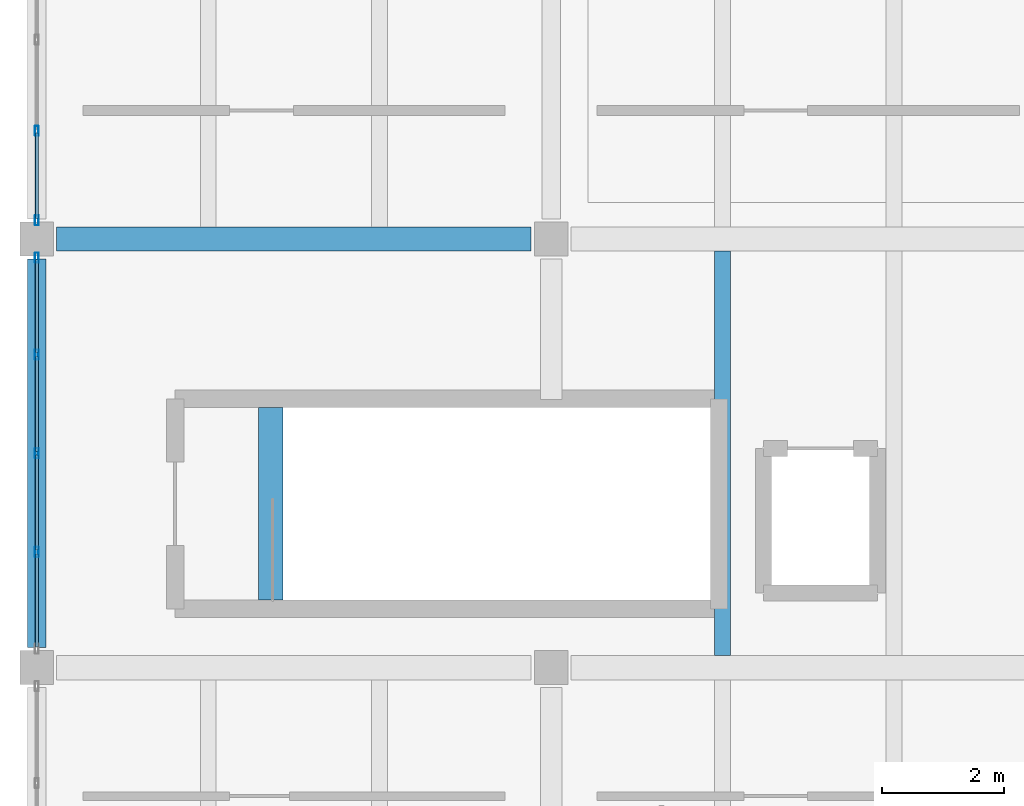
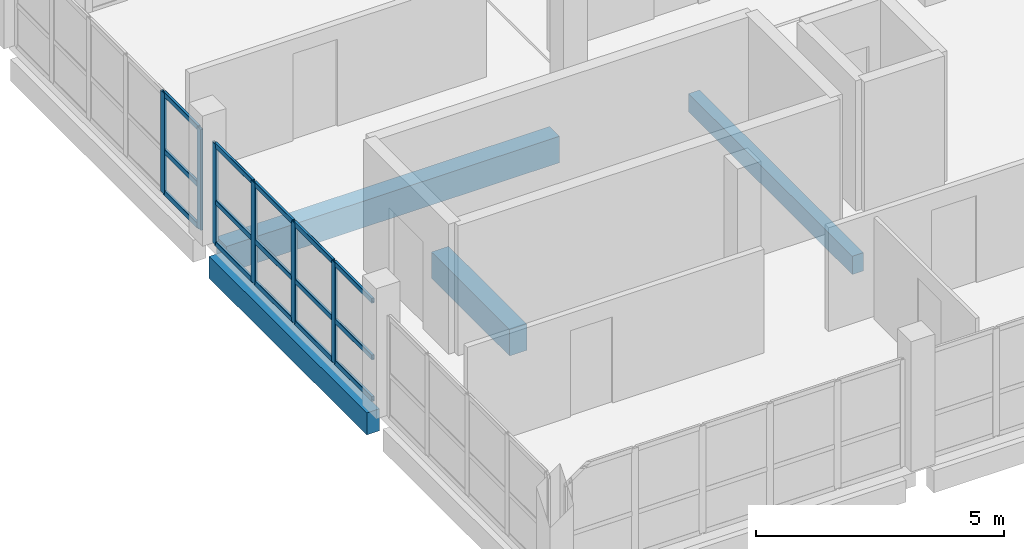
# One storey, part 4 of 24: 21 members, 4 beams, 2 elements without a shape of their own.
"""IFC4 building model written with IfcOpenShell, lengths in metres."""

from ifc_helpers import new_model, si_unit, direction, frame, origin, origin_2d, place, context, subcontext, project, spatial, rectangle, hollow_rectangle, extrude, material, layer, layer_set, material_profile, profile_set, type_object, element, aggregate, save


model = new_model("IFC4")

# Units and contexts
model_context = context("Model", 3, precision=1e-05, world=origin(), true_north=direction((0.0, 1.0)))
body_context = subcontext(model_context, "Body", "Model", "MODEL_VIEW")
ifc_project = project(units=[si_unit("LENGTHUNIT", "METRE"), si_unit("AREAUNIT", "SQUARE_METRE"), si_unit("VOLUMEUNIT", "CUBIC_METRE"), si_unit("PLANEANGLEUNIT", "RADIAN"), si_unit("MASSUNIT", "GRAM", prefix="KILO"), si_unit("THERMODYNAMICTEMPERATUREUNIT", "KELVIN"), si_unit("POWERUNIT", "WATT")], contexts=[model_context])

# Site, building, storey
site_placement = place(None, origin())
site = spatial("IfcSite", under=ifc_project, at=site_placement, CompositionType="ELEMENT")
building_placement = place(site_placement, origin())
building = spatial("IfcBuilding", under=site, at=building_placement, Name="Mavoryth Pier Ferry Terminal", CompositionType="ELEMENT")
storey_placement = place(building_placement, frame((0.0, 0.0, 16.320068359375)))
storey = spatial("IfcBuildingStorey", under=building, at=storey_placement, Name="L04", CompositionType="ELEMENT", Elevation=16.320068359375)

# Beams
ifc_material_1 = material(Name="Concrete C35/45", Category="concrete")
ifc_material_profile_1 = material_profile(ifc_material_1, rectangle(XDim=0.39990234375, YDim=0.64990234375, at=origin_2d()), Name="RC 400x650", Category="concrete")
ifc_profile_set_1 = profile_set([ifc_material_profile_1], Name="Concrete C35/45 - RC 400x650")
beam_type_1 = type_object("IfcBeamType", Name="Girder-RC-400x650", PredefinedType="BEAM", material=ifc_profile_set_1)
beam_1_placement = place(storey_placement, frame((42.324951171875, 14.0, -0.5849609375), z_axis=(1.0, 0.0, 0.0), x_axis=(0.0, 1.0, 0.0)))
element("IfcBeam", 1, at=beam_1_placement, inside=storey, type_object=beam_type_1, Name="Beam B04-BG05-1467", PredefinedType="BEAM", context=body_context, shape_type="SweptSolid", body=[
    extrude(rectangle(XDim=0.39990234375, YDim=0.64990234375, at=origin_2d()), origin(), (0.0, 0.0, 1.0), 7.75),
])
beam_2_placement = place(storey_placement, frame((45.820068359375, 8.10009765625, -0.324951171875), z_axis=(0.0, 1.0, 0.0), x_axis=(-1.0, 0.0, 0.0)))
element("IfcBeam", 2, at=beam_2_placement, inside=storey, type_object=beam_type_1, Name="Beam B04-BG05-1587", PredefinedType="BEAM", context=body_context, shape_type="SweptSolid", body=[
    extrude(rectangle(XDim=0.39990234375, YDim=0.64990234375, at=origin_2d()), origin(), (0.0, 0.0, 1.0), 3.14990234375),
])
ifc_material_profile_2 = material_profile(ifc_material_1, rectangle(XDim=0.260009765625, YDim=0.449951171875, at=origin_2d()), Name="RC 260x450", Category="concrete")
ifc_profile_set_2 = profile_set([ifc_material_profile_2], Name="Concrete C35/45 - RC 260x450")
beam_type_2 = type_object("IfcBeamType", Name="Joist-RC-260x450", PredefinedType="JOIST", material=ifc_profile_set_2)
beam_3_placement = place(storey_placement, frame((53.199951171875, 7.199951171875, -0.485107421875), z_axis=(0.0, 1.0, 0.0), x_axis=(-1.0, 0.0, 0.0)))
element("IfcBeam", 3, at=beam_3_placement, inside=storey, type_object=beam_type_2, Name="Beam B04-BJ03-1498", PredefinedType="JOIST", context=body_context, shape_type="SweptSolid", body=[
    extrude(rectangle(XDim=0.260009765625, YDim=0.449951171875, at=origin_2d()), origin(), (0.0, 0.0, 1.0), 6.60009765625),
])

# Curtain wall, members
ifc_material_2 = material(Name="Anodised Aluminium and Solar-Control Low-E Glass", Category="aluminium")
ifc_layer = layer(ifc_material_2, 0.260009765625, Name="Anodised Aluminium and Solar-Control Low-E Glass", Category="aluminium")
ifc_layer_set = layer_set([ifc_layer], Name="Anodised Aluminium and Solar-Control Low-E Glass - CW-VTSBridge-Mod1500")
curtain_wall_type = type_object("IfcCurtainWallType", Name="CW-VTSBridge-Mod1500", PredefinedType="USERDEFINED", material=ifc_layer_set)
curtain_wall_1_placement = place(storey_placement, origin())
curtain_wall_1 = element("IfcCurtainWall", 4, at=curtain_wall_1_placement, inside=storey, type_object=curtain_wall_type, Name="Curtain Wall CW-0422-163", ObjectType="UNITISED CURTAIN WALL", PredefinedType="USERDEFINED")
ifc_material_3 = material(Name="Anodised Aluminium EN AW-6063", Category="aluminium")
ifc_material_profile_3 = material_profile(ifc_material_3, hollow_rectangle(XDim=0.06005859375, YDim=0.1650390625, WallThickness=0.00390625, InnerFilletRadius=0.00390625, OuterFilletRadius=0.008056640625, at=origin_2d()), Name="AL-MULL 165x60x4", Category="aluminium")
ifc_profile_set_3 = profile_set([ifc_material_profile_3], Name="Anodised Aluminium EN AW-6063 - AL-MULL 165x60x4")
member_type_1 = type_object("IfcMemberType", Name="Mullion-Alum-165x60", PredefinedType="MULLION", material=ifc_profile_set_3)
member_1_placement = place(storey_placement, frame((42.0, 13.695068359375, 0.0), z_axis=(0.0, 0.0, 1.0), x_axis=(1.0, 0.0, 0.0)))
member_1 = element("IfcMember", 5, at=member_1_placement, type_object=member_type_1, Name="CW07 mullion 1", PredefinedType="MULLION", context=body_context, shape_type="SweptSolid", body=[
    extrude(hollow_rectangle(XDim=0.06005859375, YDim=0.1650390625, WallThickness=0.00390625, InnerFilletRadius=0.00390625, OuterFilletRadius=0.008056640625, at=origin_2d()), origin(), (0.0, 0.0, 1.0), 2.474853515625),
])
member_2_placement = place(storey_placement, frame((42.0, 12.112548828125, 0.0), z_axis=(0.0, 0.0, 1.0), x_axis=(1.0, 0.0, 0.0)))
member_2 = element("IfcMember", 6, at=member_2_placement, type_object=member_type_1, Name="CW07 mullion 2", PredefinedType="MULLION", context=body_context, shape_type="SweptSolid", body=[
    extrude(hollow_rectangle(XDim=0.06005859375, YDim=0.1650390625, WallThickness=0.00390625, InnerFilletRadius=0.00390625, OuterFilletRadius=0.008056640625, at=origin_2d()), origin(), (0.0, 0.0, 1.0), 2.474853515625),
])
member_3_placement = place(storey_placement, frame((42.0, 10.5, 0.0), z_axis=(0.0, 0.0, 1.0), x_axis=(1.0, 0.0, 0.0)))
member_3 = element("IfcMember", 7, at=member_3_placement, type_object=member_type_1, Name="CW07 mullion 3", PredefinedType="MULLION", context=body_context, shape_type="SweptSolid", body=[
    extrude(hollow_rectangle(XDim=0.06005859375, YDim=0.1650390625, WallThickness=0.00390625, InnerFilletRadius=0.00390625, OuterFilletRadius=0.008056640625, at=origin_2d()), origin(), (0.0, 0.0, 1.0), 2.474853515625),
])
member_4_placement = place(storey_placement, frame((42.0, 8.887451171875, 0.0), z_axis=(0.0, 0.0, 1.0), x_axis=(1.0, 0.0, 0.0)))
member_4 = element("IfcMember", 8, at=member_4_placement, type_object=member_type_1, Name="CW07 mullion 4", PredefinedType="MULLION", context=body_context, shape_type="SweptSolid", body=[
    extrude(hollow_rectangle(XDim=0.06005859375, YDim=0.1650390625, WallThickness=0.00390625, InnerFilletRadius=0.00390625, OuterFilletRadius=0.008056640625, at=origin_2d()), origin(), (0.0, 0.0, 1.0), 2.474853515625),
])

curtain_wall_2_placement = place(storey_placement, origin())
curtain_wall_2 = element("IfcCurtainWall", 9, at=curtain_wall_2_placement, inside=storey, type_object=curtain_wall_type, Name="Curtain Wall CW-0422-164", ObjectType="UNITISED CURTAIN WALL", PredefinedType="USERDEFINED")
member_5_placement = place(storey_placement, frame((42.0, 15.764892578125, 0.0), z_axis=(0.0, 0.0, 1.0), x_axis=(1.0, 0.0, 0.0)))
member_5 = element("IfcMember", 10, at=member_5_placement, type_object=member_type_1, Name="CW07 mullion 5", PredefinedType="MULLION", context=body_context, shape_type="SweptSolid", body=[
    extrude(hollow_rectangle(XDim=0.06005859375, YDim=0.1650390625, WallThickness=0.00390625, InnerFilletRadius=0.00390625, OuterFilletRadius=0.008056640625, at=origin_2d()), origin(), (0.0, 0.0, 1.0), 2.474853515625),
])
member_6_placement = place(storey_placement, frame((42.0, 14.304931640625, 0.0), z_axis=(0.0, 0.0, 1.0), x_axis=(1.0, 0.0, 0.0)))
member_6 = element("IfcMember", 11, at=member_6_placement, type_object=member_type_1, Name="CW07 mullion 6", PredefinedType="MULLION", context=body_context, shape_type="SweptSolid", body=[
    extrude(hollow_rectangle(XDim=0.06005859375, YDim=0.1650390625, WallThickness=0.00390625, InnerFilletRadius=0.00390625, OuterFilletRadius=0.008056640625, at=origin_2d()), origin(), (0.0, 0.0, 1.0), 2.474853515625),
])

# Beam
ifc_material_profile_4 = material_profile(ifc_material_1, rectangle(XDim=0.300048828125, YDim=0.5400390625, at=origin_2d()), Name="RC 300x540", Category="concrete")
ifc_profile_set_4 = profile_set([ifc_material_profile_4], Name="Concrete C35/45 - RC 300x540")
beam_type_3 = type_object("IfcBeamType", Name="Spandrel-RC-300x540", PredefinedType="SPANDREL", material=ifc_profile_set_4)
beam_4_placement = place(storey_placement, frame((42.0, 7.324951171875, -0.530029296875), z_axis=(0.0, 1.0, 0.0), x_axis=(-1.0, 0.0, 0.0)))
element("IfcBeam", 12, at=beam_4_placement, inside=storey, type_object=beam_type_3, Name="Beam B04-SP02-1478", PredefinedType="SPANDREL", context=body_context, shape_type="SweptSolid", body=[
    extrude(rectangle(XDim=0.300048828125, YDim=0.5400390625, at=origin_2d()), origin(), (0.0, 0.0, 1.0), 6.35009765625),
])

# Member
ifc_material_profile_5 = material_profile(ifc_material_3, hollow_rectangle(XDim=0.06005859375, YDim=0.125, WallThickness=0.00390625, InnerFilletRadius=0.00390625, OuterFilletRadius=0.008056640625, at=origin_2d()), Name="AL-TRAN 125x60x4", Category="aluminium")
ifc_profile_set_5 = profile_set([ifc_material_profile_5], Name="Anodised Aluminium EN AW-6063 - AL-TRAN 125x60x4")
member_type_2 = type_object("IfcMemberType", Name="Transom-Alum-125x60", PredefinedType="USERDEFINED", material=ifc_profile_set_5)
member_7_placement = place(storey_placement, frame((42.0, 13.6650390625, 0.030029296875), z_axis=(0.0, -1.0, 0.0), x_axis=(1.0, 0.0, 0.0)))
member_7 = element("IfcMember", 13, at=member_7_placement, type_object=member_type_2, Name="CW07 transom 1.1", ObjectType="TRANSOM", PredefinedType="USERDEFINED", context=body_context, shape_type="SweptSolid", body=[
    extrude(hollow_rectangle(XDim=0.06005859375, YDim=0.125, WallThickness=0.00390625, InnerFilletRadius=0.00390625, OuterFilletRadius=0.008056640625, at=origin_2d()), origin(), (0.0, 0.0, 1.0), 1.5224609375),
])

member_8_placement = place(storey_placement, frame((42.0, 13.6650390625, 1.050048828125), z_axis=(0.0, -1.0, 0.0), x_axis=(1.0, 0.0, 0.0)))
member_8 = element("IfcMember", 14, at=member_8_placement, type_object=member_type_2, Name="CW07 transom 1.2", ObjectType="TRANSOM", PredefinedType="USERDEFINED", context=body_context, shape_type="SweptSolid", body=[
    extrude(hollow_rectangle(XDim=0.06005859375, YDim=0.125, WallThickness=0.00390625, InnerFilletRadius=0.00390625, OuterFilletRadius=0.008056640625, at=origin_2d()), origin(), (0.0, 0.0, 1.0), 1.5224609375),
])

member_9_placement = place(storey_placement, frame((42.0, 13.6650390625, 2.44482421875), z_axis=(0.0, -1.0, 0.0), x_axis=(1.0, 0.0, 0.0)))
member_9 = element("IfcMember", 15, at=member_9_placement, type_object=member_type_2, Name="CW07 transom 1.3", ObjectType="TRANSOM", PredefinedType="USERDEFINED", context=body_context, shape_type="SweptSolid", body=[
    extrude(hollow_rectangle(XDim=0.06005859375, YDim=0.125, WallThickness=0.00390625, InnerFilletRadius=0.00390625, OuterFilletRadius=0.008056640625, at=origin_2d()), origin(), (0.0, 0.0, 1.0), 1.5224609375),
])

member_10_placement = place(storey_placement, frame((42.0, 12.08251953125, 0.030029296875), z_axis=(0.0, -1.0, 0.0), x_axis=(1.0, 0.0, 0.0)))
member_10 = element("IfcMember", 16, at=member_10_placement, type_object=member_type_2, Name="CW07 transom 2.1", ObjectType="TRANSOM", PredefinedType="USERDEFINED", context=body_context, shape_type="SweptSolid", body=[
    extrude(hollow_rectangle(XDim=0.06005859375, YDim=0.125, WallThickness=0.00390625, InnerFilletRadius=0.00390625, OuterFilletRadius=0.008056640625, at=origin_2d()), origin(), (0.0, 0.0, 1.0), 1.552490234375),
])

member_11_placement = place(storey_placement, frame((42.0, 12.08251953125, 1.050048828125), z_axis=(0.0, -1.0, 0.0), x_axis=(1.0, 0.0, 0.0)))
member_11 = element("IfcMember", 17, at=member_11_placement, type_object=member_type_2, Name="CW07 transom 2.2", ObjectType="TRANSOM", PredefinedType="USERDEFINED", context=body_context, shape_type="SweptSolid", body=[
    extrude(hollow_rectangle(XDim=0.06005859375, YDim=0.125, WallThickness=0.00390625, InnerFilletRadius=0.00390625, OuterFilletRadius=0.008056640625, at=origin_2d()), origin(), (0.0, 0.0, 1.0), 1.552490234375),
])

member_12_placement = place(storey_placement, frame((42.0, 12.08251953125, 2.44482421875), z_axis=(0.0, -1.0, 0.0), x_axis=(1.0, 0.0, 0.0)))
member_12 = element("IfcMember", 18, at=member_12_placement, type_object=member_type_2, Name="CW07 transom 2.3", ObjectType="TRANSOM", PredefinedType="USERDEFINED", context=body_context, shape_type="SweptSolid", body=[
    extrude(hollow_rectangle(XDim=0.06005859375, YDim=0.125, WallThickness=0.00390625, InnerFilletRadius=0.00390625, OuterFilletRadius=0.008056640625, at=origin_2d()), origin(), (0.0, 0.0, 1.0), 1.552490234375),
])

member_13_placement = place(storey_placement, frame((42.0, 10.469970703125, 0.030029296875), z_axis=(0.0, -1.0, 0.0), x_axis=(1.0, 0.0, 0.0)))
member_13 = element("IfcMember", 19, at=member_13_placement, type_object=member_type_2, Name="CW07 transom 3.1", ObjectType="TRANSOM", PredefinedType="USERDEFINED", context=body_context, shape_type="SweptSolid", body=[
    extrude(hollow_rectangle(XDim=0.06005859375, YDim=0.125, WallThickness=0.00390625, InnerFilletRadius=0.00390625, OuterFilletRadius=0.008056640625, at=origin_2d()), origin(), (0.0, 0.0, 1.0), 1.552490234375),
])

member_14_placement = place(storey_placement, frame((42.0, 10.469970703125, 1.050048828125), z_axis=(0.0, -1.0, 0.0), x_axis=(1.0, 0.0, 0.0)))
member_14 = element("IfcMember", 20, at=member_14_placement, type_object=member_type_2, Name="CW07 transom 3.2", ObjectType="TRANSOM", PredefinedType="USERDEFINED", context=body_context, shape_type="SweptSolid", body=[
    extrude(hollow_rectangle(XDim=0.06005859375, YDim=0.125, WallThickness=0.00390625, InnerFilletRadius=0.00390625, OuterFilletRadius=0.008056640625, at=origin_2d()), origin(), (0.0, 0.0, 1.0), 1.552490234375),
])

member_15_placement = place(storey_placement, frame((42.0, 10.469970703125, 2.44482421875), z_axis=(0.0, -1.0, 0.0), x_axis=(1.0, 0.0, 0.0)))
member_15 = element("IfcMember", 21, at=member_15_placement, type_object=member_type_2, Name="CW07 transom 3.3", ObjectType="TRANSOM", PredefinedType="USERDEFINED", context=body_context, shape_type="SweptSolid", body=[
    extrude(hollow_rectangle(XDim=0.06005859375, YDim=0.125, WallThickness=0.00390625, InnerFilletRadius=0.00390625, OuterFilletRadius=0.008056640625, at=origin_2d()), origin(), (0.0, 0.0, 1.0), 1.552490234375),
])

member_16_placement = place(storey_placement, frame((42.0, 8.857421875, 0.030029296875), z_axis=(0.0, -1.0, 0.0), x_axis=(1.0, 0.0, 0.0)))
member_16 = element("IfcMember", 22, at=member_16_placement, type_object=member_type_2, Name="CW07 transom 4.1", ObjectType="TRANSOM", PredefinedType="USERDEFINED", context=body_context, shape_type="SweptSolid", body=[
    extrude(hollow_rectangle(XDim=0.06005859375, YDim=0.125, WallThickness=0.00390625, InnerFilletRadius=0.00390625, OuterFilletRadius=0.008056640625, at=origin_2d()), origin(), (0.0, 0.0, 1.0), 1.5224609375),
])

member_17_placement = place(storey_placement, frame((42.0, 8.857421875, 1.050048828125), z_axis=(0.0, -1.0, 0.0), x_axis=(1.0, 0.0, 0.0)))
member_17 = element("IfcMember", 23, at=member_17_placement, type_object=member_type_2, Name="CW07 transom 4.2", ObjectType="TRANSOM", PredefinedType="USERDEFINED", context=body_context, shape_type="SweptSolid", body=[
    extrude(hollow_rectangle(XDim=0.06005859375, YDim=0.125, WallThickness=0.00390625, InnerFilletRadius=0.00390625, OuterFilletRadius=0.008056640625, at=origin_2d()), origin(), (0.0, 0.0, 1.0), 1.5224609375),
])

member_18_placement = place(storey_placement, frame((42.0, 8.857421875, 2.44482421875), z_axis=(0.0, -1.0, 0.0), x_axis=(1.0, 0.0, 0.0)))
member_18 = element("IfcMember", 24, at=member_18_placement, type_object=member_type_2, Name="CW07 transom 4.3", ObjectType="TRANSOM", PredefinedType="USERDEFINED", context=body_context, shape_type="SweptSolid", body=[
    extrude(hollow_rectangle(XDim=0.06005859375, YDim=0.125, WallThickness=0.00390625, InnerFilletRadius=0.00390625, OuterFilletRadius=0.008056640625, at=origin_2d()), origin(), (0.0, 0.0, 1.0), 1.5224609375),
])

aggregate(curtain_wall_1, [member_1, member_2, member_3, member_4, member_7, member_8, member_9, member_10, member_11, member_12, member_13, member_14, member_15, member_16, member_17, member_18])

member_19_placement = place(storey_placement, frame((42.0, 15.735107421875, 0.030029296875), z_axis=(0.0, -1.0, 0.0), x_axis=(1.0, 0.0, 0.0)))
member_19 = element("IfcMember", 25, at=member_19_placement, type_object=member_type_2, Name="CW07 transom 5.1", ObjectType="TRANSOM", PredefinedType="USERDEFINED", context=body_context, shape_type="SweptSolid", body=[
    extrude(hollow_rectangle(XDim=0.06005859375, YDim=0.125, WallThickness=0.00390625, InnerFilletRadius=0.00390625, OuterFilletRadius=0.008056640625, at=origin_2d()), origin(), (0.0, 0.0, 1.0), 1.400146484375),
])

member_20_placement = place(storey_placement, frame((42.0, 15.735107421875, 1.050048828125), z_axis=(0.0, -1.0, 0.0), x_axis=(1.0, 0.0, 0.0)))
member_20 = element("IfcMember", 26, at=member_20_placement, type_object=member_type_2, Name="CW07 transom 5.2", ObjectType="TRANSOM", PredefinedType="USERDEFINED", context=body_context, shape_type="SweptSolid", body=[
    extrude(hollow_rectangle(XDim=0.06005859375, YDim=0.125, WallThickness=0.00390625, InnerFilletRadius=0.00390625, OuterFilletRadius=0.008056640625, at=origin_2d()), origin(), (0.0, 0.0, 1.0), 1.400146484375),
])

member_21_placement = place(storey_placement, frame((42.0, 15.735107421875, 2.44482421875), z_axis=(0.0, -1.0, 0.0), x_axis=(1.0, 0.0, 0.0)))
member_21 = element("IfcMember", 27, at=member_21_placement, type_object=member_type_2, Name="CW07 transom 5.3", ObjectType="TRANSOM", PredefinedType="USERDEFINED", context=body_context, shape_type="SweptSolid", body=[
    extrude(hollow_rectangle(XDim=0.06005859375, YDim=0.125, WallThickness=0.00390625, InnerFilletRadius=0.00390625, OuterFilletRadius=0.008056640625, at=origin_2d()), origin(), (0.0, 0.0, 1.0), 1.400146484375),
])

aggregate(curtain_wall_2, [member_5, member_6, member_19, member_20, member_21])

save(model, "model.ifc")
